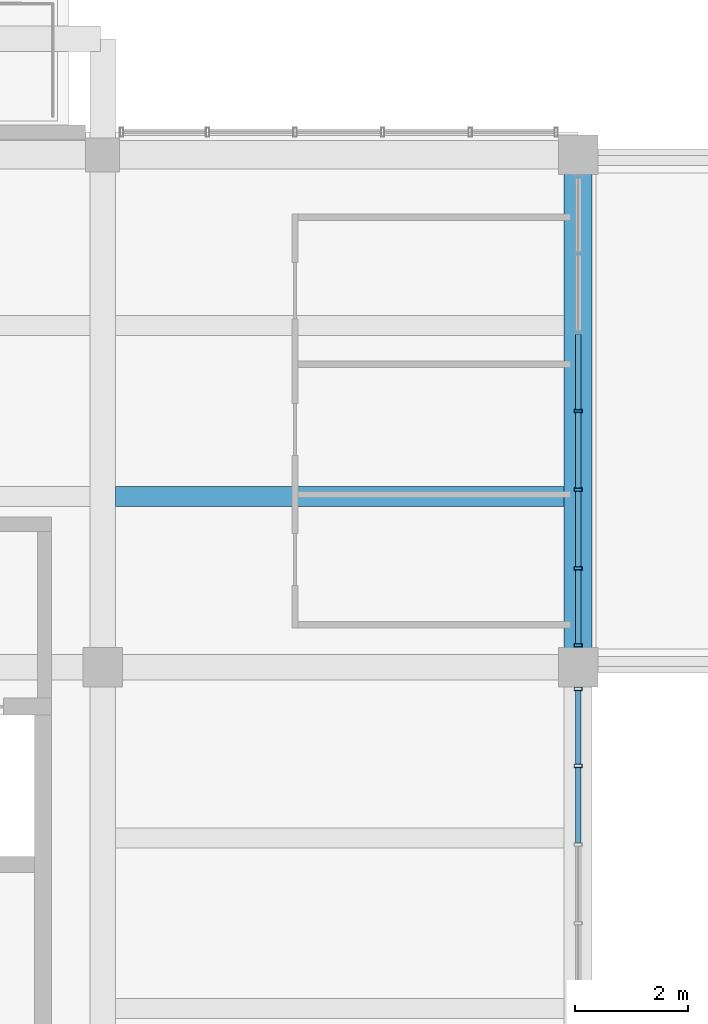
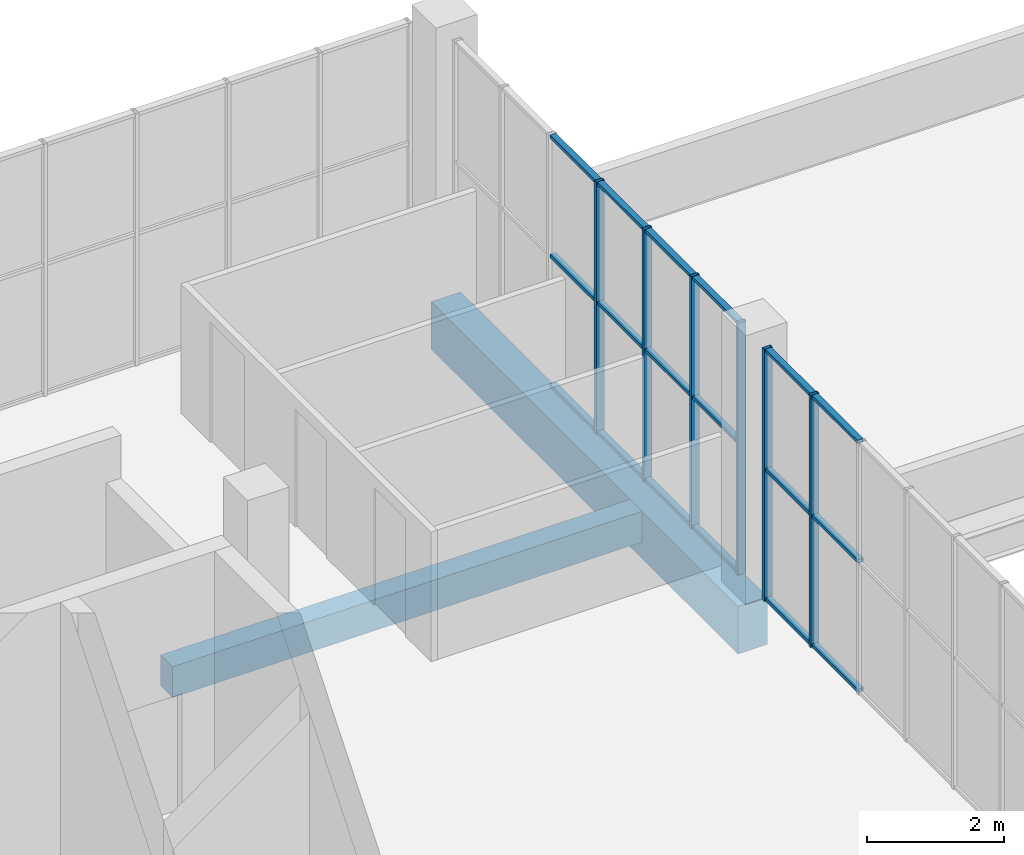
# One storey, part 23 of 80: 24 members, 2 beams, 2 elements without a shape of their own.
"""IFC4 building model written with IfcOpenShell, lengths in metres."""

from ifc_helpers import new_model, si_unit, direction, frame, origin, origin_2d, place, context, subcontext, project, spatial, rectangle, hollow_rectangle, extrude, material, material_profile, profile_set, type_object, element, aggregate, save


model = new_model("IFC4")

# Units and contexts
model_context = context("Model", 3, precision=1e-05, world=origin(), true_north=direction((0.0, 1.0)))
body_context = subcontext(model_context, "Body", "Model", "MODEL_VIEW")
ifc_project = project(units=[si_unit("LENGTHUNIT", "METRE"), si_unit("AREAUNIT", "SQUARE_METRE"), si_unit("VOLUMEUNIT", "CUBIC_METRE"), si_unit("PLANEANGLEUNIT", "RADIAN"), si_unit("MASSUNIT", "GRAM", prefix="KILO")], contexts=[model_context])

# Site, building, storey
site_placement = place(None, origin())
site = spatial("IfcSite", under=ifc_project, at=site_placement, CompositionType="ELEMENT")
building_placement = place(site_placement, origin())
building = spatial("IfcBuilding", under=site, at=building_placement, Name="Khurvash Pelagic Aquarium", CompositionType="ELEMENT")
storey_placement = place(building_placement, frame((0.0, 0.0, 10.800048828125)))
storey = spatial("IfcBuildingStorey", under=building, at=storey_placement, Name="L02", CompositionType="ELEMENT", Elevation=10.800048828125)

# Curtain wall, members
ifc_material_1 = material(Name="Anodised aluminium and low-E laminated glass", Category="aluminium")
curtain_wall_type = type_object("IfcCurtainWallType", Name="CW-03", PredefinedType="USERDEFINED", material=ifc_material_1)
curtain_wall_1_placement = place(storey_placement, origin())
curtain_wall_1 = element("IfcCurtainWall", 1, at=curtain_wall_1_placement, inside=storey, type_object=curtain_wall_type, Name="L02 Facade Unitised Curtain Wall CW-03 0157", ObjectType="UNITISED CURTAIN WALL", PredefinedType="USERDEFINED")
ifc_material_2 = material(Name="Extruded aluminium AW-6063-T6", Category="aluminium")
ifc_material_profile_1 = material_profile(ifc_material_2, hollow_rectangle(XDim=0.06005859375, YDim=0.139892578125, WallThickness=0.00390625, at=origin_2d()), Name="CWM60X140X4")
ifc_profile_set_1 = profile_set([ifc_material_profile_1], Name="Extruded aluminium AW-6063-T6")
member_type_1 = type_object("IfcMemberType", Name="CM-03", PredefinedType="MULLION", material=ifc_profile_set_1)
member_1_placement = place(storey_placement, frame((109.199951171875, 18.955078125, 0.0), z_axis=(0.0, 0.0, 1.0), x_axis=(0.0, 1.0, 0.0)))
member_1 = element("IfcMember", 2, at=member_1_placement, type_object=member_type_1, Name="CW-03 mullion 6", PredefinedType="MULLION", context=body_context, shape_type="SweptSolid", body=[
    extrude(hollow_rectangle(XDim=0.06005859375, YDim=0.139892578125, WallThickness=0.00390625, at=origin_2d()), origin(), (0.0, 0.0, 1.0), 4.5),
])
member_2_placement = place(storey_placement, frame((109.199951171875, 20.31494140625, 0.0), z_axis=(0.0, 0.0, 1.0), x_axis=(0.0, 1.0, 0.0)))
member_2 = element("IfcMember", 3, at=member_2_placement, type_object=member_type_1, Name="CW-03 mullion 7", PredefinedType="MULLION", context=body_context, shape_type="SweptSolid", body=[
    extrude(hollow_rectangle(XDim=0.06005859375, YDim=0.139892578125, WallThickness=0.00390625, at=origin_2d()), origin(), (0.0, 0.0, 1.0), 4.5),
])

curtain_wall_2_placement = place(storey_placement, origin())
curtain_wall_2 = element("IfcCurtainWall", 4, at=curtain_wall_2_placement, inside=storey, type_object=curtain_wall_type, Name="L02 Facade Unitised Curtain Wall CW-03 0158", ObjectType="UNITISED CURTAIN WALL", PredefinedType="USERDEFINED")
member_3_placement = place(storey_placement, frame((109.199951171875, 21.0849609375, 0.0), z_axis=(0.0, 0.0, 1.0), x_axis=(0.0, 1.0, 0.0)))
member_3 = element("IfcMember", 5, at=member_3_placement, type_object=member_type_1, Name="CW-03 mullion 1", PredefinedType="MULLION", context=body_context, shape_type="SweptSolid", body=[
    extrude(hollow_rectangle(XDim=0.06005859375, YDim=0.139892578125, WallThickness=0.00390625, at=origin_2d()), origin(), (0.0, 0.0, 1.0), 4.5),
])
member_4_placement = place(storey_placement, frame((109.199951171875, 22.445068359375, 0.0), z_axis=(0.0, 0.0, 1.0), x_axis=(0.0, 1.0, 0.0)))
member_4 = element("IfcMember", 6, at=member_4_placement, type_object=member_type_1, Name="CW-03 mullion 2", PredefinedType="MULLION", context=body_context, shape_type="SweptSolid", body=[
    extrude(hollow_rectangle(XDim=0.06005859375, YDim=0.139892578125, WallThickness=0.00390625, at=origin_2d()), origin(), (0.0, 0.0, 1.0), 4.5),
])
member_5_placement = place(storey_placement, frame((109.199951171875, 23.8349609375, 0.0), z_axis=(0.0, 0.0, 1.0), x_axis=(0.0, 1.0, 0.0)))
member_5 = element("IfcMember", 7, at=member_5_placement, type_object=member_type_1, Name="CW-03 mullion 3", PredefinedType="MULLION", context=body_context, shape_type="SweptSolid", body=[
    extrude(hollow_rectangle(XDim=0.06005859375, YDim=0.139892578125, WallThickness=0.00390625, at=origin_2d()), origin(), (0.0, 0.0, 1.0), 4.5),
])
member_6_placement = place(storey_placement, frame((109.199951171875, 25.22509765625, 0.0), z_axis=(0.0, 0.0, 1.0), x_axis=(0.0, 1.0, 0.0)))
member_6 = element("IfcMember", 8, at=member_6_placement, type_object=member_type_1, Name="CW-03 mullion 4", PredefinedType="MULLION", context=body_context, shape_type="SweptSolid", body=[
    extrude(hollow_rectangle(XDim=0.06005859375, YDim=0.139892578125, WallThickness=0.00390625, at=origin_2d()), origin(), (0.0, 0.0, 1.0), 4.5),
])

# Member
ifc_material_profile_2 = material_profile(ifc_material_2, hollow_rectangle(XDim=0.10009765625, YDim=0.06005859375, WallThickness=0.00390625, at=origin_2d()), Name="CWT100X60X4")
ifc_profile_set_2 = profile_set([ifc_material_profile_2], Name="Extruded aluminium AW-6063-T6")
member_type_2 = type_object("IfcMemberType", Name="CT-03", PredefinedType="USERDEFINED", material=ifc_profile_set_2)
member_7_placement = place(storey_placement, frame((109.199951171875, 17.594970703125, 0.030029296875), z_axis=(0.0, 1.0, 0.0), x_axis=(-1.0, 0.0, 0.0)))
member_7 = element("IfcMember", 9, at=member_7_placement, type_object=member_type_2, Name="CW-03 transom 5.1", ObjectType="TRANSOM", PredefinedType="USERDEFINED", context=body_context, shape_type="SweptSolid", body=[
    extrude(hollow_rectangle(XDim=0.10009765625, YDim=0.06005859375, WallThickness=0.00390625, at=origin_2d()), origin(), (0.0, 0.0, 1.0), 1.330078125),
])

member_8_placement = place(storey_placement, frame((109.199951171875, 17.594970703125, 2.33984375), z_axis=(0.0, 1.0, 0.0), x_axis=(-1.0, 0.0, 0.0)))
member_8 = element("IfcMember", 10, at=member_8_placement, type_object=member_type_2, Name="CW-03 transom 5.2", ObjectType="TRANSOM", PredefinedType="USERDEFINED", context=body_context, shape_type="SweptSolid", body=[
    extrude(hollow_rectangle(XDim=0.10009765625, YDim=0.06005859375, WallThickness=0.00390625, at=origin_2d()), origin(), (0.0, 0.0, 1.0), 1.330078125),
])

member_9_placement = place(storey_placement, frame((109.199951171875, 17.594970703125, 4.469970703125), z_axis=(0.0, 1.0, 0.0), x_axis=(-1.0, 0.0, 0.0)))
member_9 = element("IfcMember", 11, at=member_9_placement, type_object=member_type_2, Name="CW-03 transom 5.3", ObjectType="TRANSOM", PredefinedType="USERDEFINED", context=body_context, shape_type="SweptSolid", body=[
    extrude(hollow_rectangle(XDim=0.10009765625, YDim=0.06005859375, WallThickness=0.00390625, at=origin_2d()), origin(), (0.0, 0.0, 1.0), 1.330078125),
])

member_10_placement = place(storey_placement, frame((109.199951171875, 18.985107421875, 0.030029296875), z_axis=(0.0, 1.0, 0.0), x_axis=(-1.0, 0.0, 0.0)))
member_10 = element("IfcMember", 12, at=member_10_placement, type_object=member_type_2, Name="CW-03 transom 6.1", ObjectType="TRANSOM", PredefinedType="USERDEFINED", context=body_context, shape_type="SweptSolid", body=[
    extrude(hollow_rectangle(XDim=0.10009765625, YDim=0.06005859375, WallThickness=0.00390625, at=origin_2d()), origin(), (0.0, 0.0, 1.0), 1.2998046875),
])

member_11_placement = place(storey_placement, frame((109.199951171875, 18.985107421875, 2.33984375), z_axis=(0.0, 1.0, 0.0), x_axis=(-1.0, 0.0, 0.0)))
member_11 = element("IfcMember", 13, at=member_11_placement, type_object=member_type_2, Name="CW-03 transom 6.2", ObjectType="TRANSOM", PredefinedType="USERDEFINED", context=body_context, shape_type="SweptSolid", body=[
    extrude(hollow_rectangle(XDim=0.10009765625, YDim=0.06005859375, WallThickness=0.00390625, at=origin_2d()), origin(), (0.0, 0.0, 1.0), 1.2998046875),
])

member_12_placement = place(storey_placement, frame((109.199951171875, 18.985107421875, 4.469970703125), z_axis=(0.0, 1.0, 0.0), x_axis=(-1.0, 0.0, 0.0)))
member_12 = element("IfcMember", 14, at=member_12_placement, type_object=member_type_2, Name="CW-03 transom 6.3", ObjectType="TRANSOM", PredefinedType="USERDEFINED", context=body_context, shape_type="SweptSolid", body=[
    extrude(hollow_rectangle(XDim=0.10009765625, YDim=0.06005859375, WallThickness=0.00390625, at=origin_2d()), origin(), (0.0, 0.0, 1.0), 1.2998046875),
])

aggregate(curtain_wall_1, [member_1, member_2, member_7, member_8, member_9, member_10, member_11, member_12])

member_13_placement = place(storey_placement, frame((109.199951171875, 21.114990234375, 0.030029296875), z_axis=(0.0, 1.0, 0.0), x_axis=(-1.0, 0.0, 0.0)))
member_13 = element("IfcMember", 15, at=member_13_placement, type_object=member_type_2, Name="CW-03 transom 1.1", ObjectType="TRANSOM", PredefinedType="USERDEFINED", context=body_context, shape_type="SweptSolid", body=[
    extrude(hollow_rectangle(XDim=0.10009765625, YDim=0.06005859375, WallThickness=0.00390625, at=origin_2d()), origin(), (0.0, 0.0, 1.0), 1.300048828125),
])

member_14_placement = place(storey_placement, frame((109.199951171875, 21.114990234375, 2.33984375), z_axis=(0.0, 1.0, 0.0), x_axis=(-1.0, 0.0, 0.0)))
member_14 = element("IfcMember", 16, at=member_14_placement, type_object=member_type_2, Name="CW-03 transom 1.2", ObjectType="TRANSOM", PredefinedType="USERDEFINED", context=body_context, shape_type="SweptSolid", body=[
    extrude(hollow_rectangle(XDim=0.10009765625, YDim=0.06005859375, WallThickness=0.00390625, at=origin_2d()), origin(), (0.0, 0.0, 1.0), 1.300048828125),
])

member_15_placement = place(storey_placement, frame((109.199951171875, 21.114990234375, 4.469970703125), z_axis=(0.0, 1.0, 0.0), x_axis=(-1.0, 0.0, 0.0)))
member_15 = element("IfcMember", 17, at=member_15_placement, type_object=member_type_2, Name="CW-03 transom 1.3", ObjectType="TRANSOM", PredefinedType="USERDEFINED", context=body_context, shape_type="SweptSolid", body=[
    extrude(hollow_rectangle(XDim=0.10009765625, YDim=0.06005859375, WallThickness=0.00390625, at=origin_2d()), origin(), (0.0, 0.0, 1.0), 1.300048828125),
])

member_16_placement = place(storey_placement, frame((109.199951171875, 22.47509765625, 0.030029296875), z_axis=(0.0, 1.0, 0.0), x_axis=(-1.0, 0.0, 0.0)))
member_16 = element("IfcMember", 18, at=member_16_placement, type_object=member_type_2, Name="CW-03 transom 2.1", ObjectType="TRANSOM", PredefinedType="USERDEFINED", context=body_context, shape_type="SweptSolid", body=[
    extrude(hollow_rectangle(XDim=0.10009765625, YDim=0.06005859375, WallThickness=0.00390625, at=origin_2d()), origin(), (0.0, 0.0, 1.0), 1.329833984375),
])

member_17_placement = place(storey_placement, frame((109.199951171875, 22.47509765625, 2.33984375), z_axis=(0.0, 1.0, 0.0), x_axis=(-1.0, 0.0, 0.0)))
member_17 = element("IfcMember", 19, at=member_17_placement, type_object=member_type_2, Name="CW-03 transom 2.2", ObjectType="TRANSOM", PredefinedType="USERDEFINED", context=body_context, shape_type="SweptSolid", body=[
    extrude(hollow_rectangle(XDim=0.10009765625, YDim=0.06005859375, WallThickness=0.00390625, at=origin_2d()), origin(), (0.0, 0.0, 1.0), 1.329833984375),
])

member_18_placement = place(storey_placement, frame((109.199951171875, 22.47509765625, 4.469970703125), z_axis=(0.0, 1.0, 0.0), x_axis=(-1.0, 0.0, 0.0)))
member_18 = element("IfcMember", 20, at=member_18_placement, type_object=member_type_2, Name="CW-03 transom 2.3", ObjectType="TRANSOM", PredefinedType="USERDEFINED", context=body_context, shape_type="SweptSolid", body=[
    extrude(hollow_rectangle(XDim=0.10009765625, YDim=0.06005859375, WallThickness=0.00390625, at=origin_2d()), origin(), (0.0, 0.0, 1.0), 1.329833984375),
])

member_19_placement = place(storey_placement, frame((109.199951171875, 23.864990234375, 0.030029296875), z_axis=(0.0, 1.0, 0.0), x_axis=(-1.0, 0.0, 0.0)))
member_19 = element("IfcMember", 21, at=member_19_placement, type_object=member_type_2, Name="CW-03 transom 3.1", ObjectType="TRANSOM", PredefinedType="USERDEFINED", context=body_context, shape_type="SweptSolid", body=[
    extrude(hollow_rectangle(XDim=0.10009765625, YDim=0.06005859375, WallThickness=0.00390625, at=origin_2d()), origin(), (0.0, 0.0, 1.0), 1.330078125),
])

member_20_placement = place(storey_placement, frame((109.199951171875, 23.864990234375, 2.33984375), z_axis=(0.0, 1.0, 0.0), x_axis=(-1.0, 0.0, 0.0)))
member_20 = element("IfcMember", 22, at=member_20_placement, type_object=member_type_2, Name="CW-03 transom 3.2", ObjectType="TRANSOM", PredefinedType="USERDEFINED", context=body_context, shape_type="SweptSolid", body=[
    extrude(hollow_rectangle(XDim=0.10009765625, YDim=0.06005859375, WallThickness=0.00390625, at=origin_2d()), origin(), (0.0, 0.0, 1.0), 1.330078125),
])

member_21_placement = place(storey_placement, frame((109.199951171875, 23.864990234375, 4.469970703125), z_axis=(0.0, 1.0, 0.0), x_axis=(-1.0, 0.0, 0.0)))
member_21 = element("IfcMember", 23, at=member_21_placement, type_object=member_type_2, Name="CW-03 transom 3.3", ObjectType="TRANSOM", PredefinedType="USERDEFINED", context=body_context, shape_type="SweptSolid", body=[
    extrude(hollow_rectangle(XDim=0.10009765625, YDim=0.06005859375, WallThickness=0.00390625, at=origin_2d()), origin(), (0.0, 0.0, 1.0), 1.330078125),
])

member_22_placement = place(storey_placement, frame((109.199951171875, 25.2548828125, 0.030029296875), z_axis=(0.0, 1.0, 0.0), x_axis=(-1.0, 0.0, 0.0)))
member_22 = element("IfcMember", 24, at=member_22_placement, type_object=member_type_2, Name="CW-03 transom 4.1", ObjectType="TRANSOM", PredefinedType="USERDEFINED", context=body_context, shape_type="SweptSolid", body=[
    extrude(hollow_rectangle(XDim=0.10009765625, YDim=0.06005859375, WallThickness=0.00390625, at=origin_2d()), origin(), (0.0, 0.0, 1.0), 1.330078125),
])

member_23_placement = place(storey_placement, frame((109.199951171875, 25.2548828125, 2.33984375), z_axis=(0.0, 1.0, 0.0), x_axis=(-1.0, 0.0, 0.0)))
member_23 = element("IfcMember", 25, at=member_23_placement, type_object=member_type_2, Name="CW-03 transom 4.2", ObjectType="TRANSOM", PredefinedType="USERDEFINED", context=body_context, shape_type="SweptSolid", body=[
    extrude(hollow_rectangle(XDim=0.10009765625, YDim=0.06005859375, WallThickness=0.00390625, at=origin_2d()), origin(), (0.0, 0.0, 1.0), 1.330078125),
])

member_24_placement = place(storey_placement, frame((109.199951171875, 25.2548828125, 4.469970703125), z_axis=(0.0, 1.0, 0.0), x_axis=(-1.0, 0.0, 0.0)))
member_24 = element("IfcMember", 26, at=member_24_placement, type_object=member_type_2, Name="CW-03 transom 4.3", ObjectType="TRANSOM", PredefinedType="USERDEFINED", context=body_context, shape_type="SweptSolid", body=[
    extrude(hollow_rectangle(XDim=0.10009765625, YDim=0.06005859375, WallThickness=0.00390625, at=origin_2d()), origin(), (0.0, 0.0, 1.0), 1.330078125),
])

aggregate(curtain_wall_2, [member_3, member_4, member_5, member_6, member_13, member_14, member_15, member_16, member_17, member_18, member_19, member_20, member_21, member_22, member_23, member_24])

# Beams
ifc_material_3 = material(Name="Concrete C35/45", Category="concrete")
ifc_material_profile_3 = material_profile(ifc_material_3, rectangle(XDim=0.35009765625, YDim=0.550048828125, at=origin_2d()), Name="RC350X550")
ifc_profile_set_3 = profile_set([ifc_material_profile_3], Name="Concrete C35/45")
beam_type_1 = type_object("IfcBeamType", Name="JS-01", PredefinedType="JOIST", material=ifc_profile_set_3)
beam_1_placement = place(storey_placement, frame((101.02490234375, 23.717041015625, -0.574951171875), z_axis=(1.0, 0.0, 0.0), x_axis=(0.0, 1.0, 0.0)))
element("IfcBeam", 27, at=beam_1_placement, inside=storey, type_object=beam_type_1, Name="L02 Floor Joist JS-01 00817", PredefinedType="JOIST", context=body_context, shape_type="SweptSolid", body=[
    extrude(rectangle(XDim=0.35009765625, YDim=0.550048828125, at=origin_2d()), origin(), (0.0, 0.0, 1.0), 7.925048828125),
])
ifc_material_4 = material(Name="Concrete C40/50", Category="concrete")
ifc_material_profile_4 = material_profile(ifc_material_4, rectangle(XDim=0.5, YDim=0.85009765625, at=origin_2d()), Name="RC500X850")
ifc_profile_set_4 = profile_set([ifc_material_profile_4], Name="Concrete C40/50")
beam_type_2 = type_object("IfcBeamType", Name="SEB-03", PredefinedType="SPANDREL", material=ifc_profile_set_4)
beam_2_placement = place(storey_placement, frame((109.199951171875, 20.739990234375, -0.72509765625), z_axis=(0.0, 1.0, 0.0), x_axis=(-1.0, 0.0, 0.0)))
element("IfcBeam", 28, at=beam_2_placement, inside=storey, type_object=beam_type_2, Name="L02 Primary Girder SEB-03 00713", PredefinedType="SPANDREL", context=body_context, shape_type="SweptSolid", body=[
    extrude(rectangle(XDim=0.5, YDim=0.85009765625, at=origin_2d()), origin(), (0.0, 0.0, 1.0), 8.969970703125),
])

save(model, "model.ifc")
